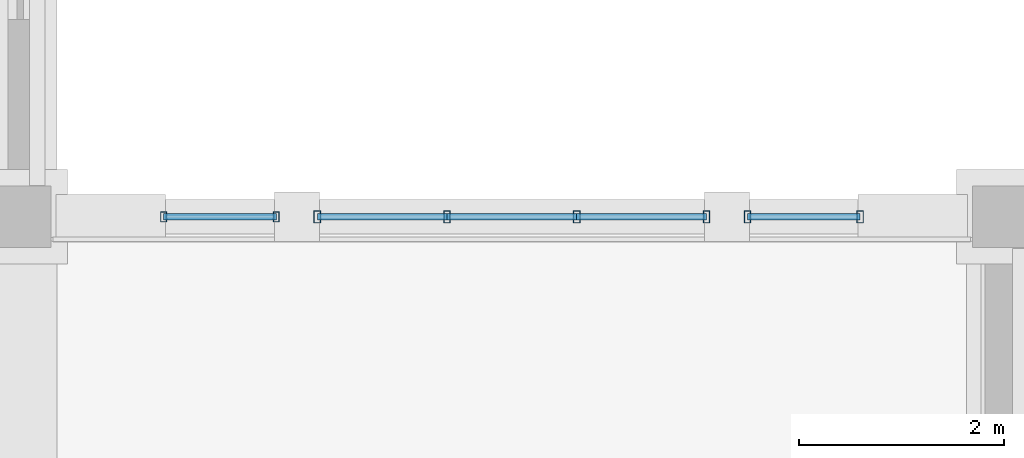
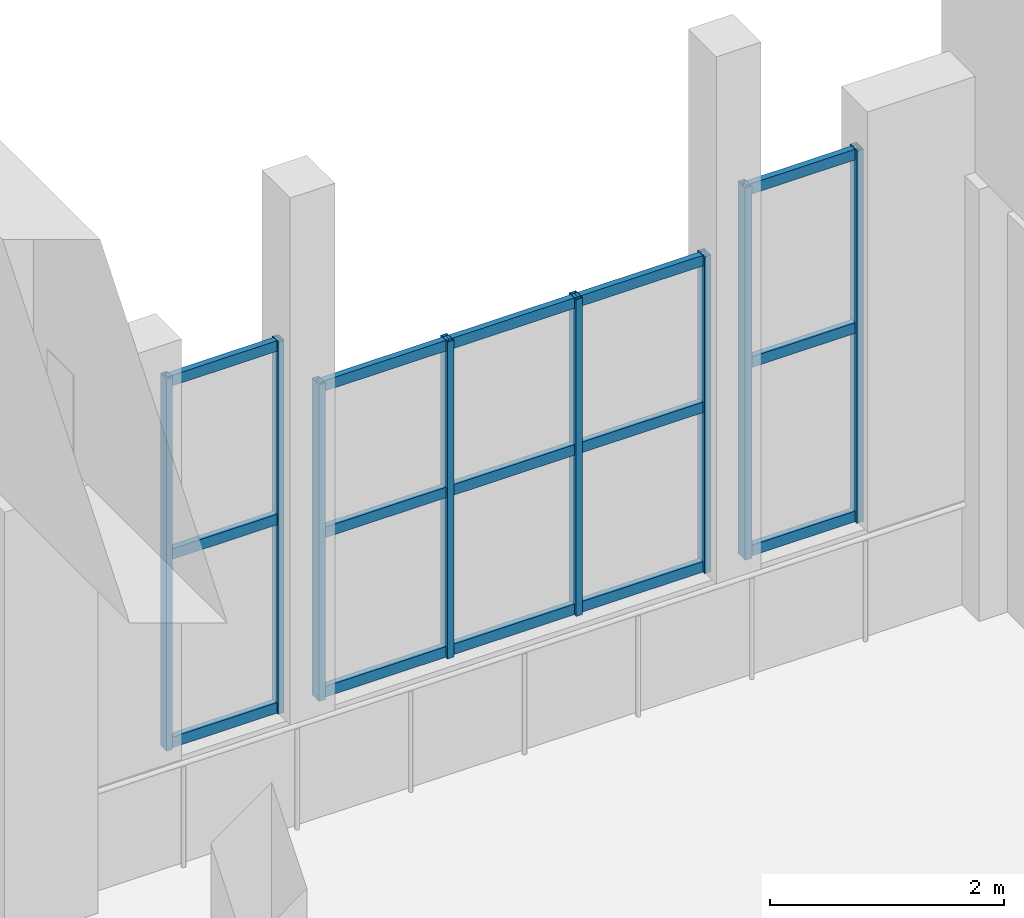
# One storey, part 13 of 46: 23 members, 3 elements without a shape of their own.
"""IFC4 building model written with IfcOpenShell, lengths in metres."""

from ifc_helpers import new_model, si_unit, direction, frame, origin, origin_2d, place, context, subcontext, project, spatial, hollow_rectangle, extrude, material, material_profile, profile_set, type_object, element, aggregate, save


model = new_model("IFC4")

# Units and contexts
model_context = context("Model", 3, precision=1e-05, world=origin(), true_north=direction((0.0, 1.0)))
body_context = subcontext(model_context, "Body", "Model", "MODEL_VIEW")
ifc_project = project(units=[si_unit("LENGTHUNIT", "METRE"), si_unit("AREAUNIT", "SQUARE_METRE"), si_unit("VOLUMEUNIT", "CUBIC_METRE"), si_unit("PLANEANGLEUNIT", "RADIAN"), si_unit("MASSUNIT", "GRAM", prefix="KILO")], contexts=[model_context])

# Site, building, storey
site_placement = place(None, origin())
site = spatial("IfcSite", under=ifc_project, at=site_placement, CompositionType="ELEMENT")
building_placement = place(site_placement, origin())
building = spatial("IfcBuilding", under=site, at=building_placement, Name="Mavantir Sound Aquarium", CompositionType="ELEMENT")
storey_placement = place(building_placement, frame((0.0, 0.0, 15.300048828125)))
storey = spatial("IfcBuildingStorey", under=building, at=storey_placement, Name="L03", CompositionType="ELEMENT", Elevation=15.300048828125)

# Curtain wall, members
ifc_material_1 = material(Name="Anodised Marine Aluminium and Low-E Glass", Category="aluminium")
curtain_wall_type_1 = type_object("IfcCurtainWallType", Name="CW-T14", PredefinedType="USERDEFINED", material=ifc_material_1)
curtain_wall_1_placement = place(storey_placement, origin())
curtain_wall_1 = element("IfcCurtainWall", 1, at=curtain_wall_1_placement, inside=storey, type_object=curtain_wall_type_1, Name="L03 unitised curtain wall CW-14 181", ObjectType="UNITISED GLAZING", PredefinedType="USERDEFINED")
ifc_material_2 = material(Name="Anodised Marine Aluminium 6063-T6", Category="aluminium")
ifc_material_profile_1 = material_profile(ifc_material_2, hollow_rectangle(XDim=0.06005859375, YDim=0.10009765625, WallThickness=0.00390625, at=origin_2d()), Name="ALU-MULLION-100X60")
ifc_profile_set_1 = profile_set([ifc_material_profile_1], Name="Anodised Marine Aluminium 6063-T6")
member_type_1 = type_object("IfcMemberType", Name="CW-MUL-100", PredefinedType="MULLION", material=ifc_profile_set_1)
member_1_placement = place(storey_placement, frame((167.0, 60.800048828125, 1.119873046875), z_axis=(0.0, 0.0, 1.0), x_axis=(1.0, 0.0, 0.0)))
member_1 = element("IfcMember", 2, at=member_1_placement, type_object=member_type_1, Name="CW-DIOC-7N-L vertical mullion 1", PredefinedType="MULLION", context=body_context, shape_type="SweptSolid", body=[
    extrude(hollow_rectangle(XDim=0.06005859375, YDim=0.10009765625, WallThickness=0.00390625, at=origin_2d()), origin(), (0.0, 0.0, 1.0), 3.880126953125),
])
member_2_placement = place(storey_placement, frame((168.10009765625, 60.800048828125, 1.119873046875), z_axis=(0.0, 0.0, 1.0), x_axis=(1.0, 0.0, 0.0)))
member_2 = element("IfcMember", 3, at=member_2_placement, type_object=member_type_1, Name="CW-DIOC-7N-L vertical mullion 2", PredefinedType="MULLION", context=body_context, shape_type="SweptSolid", body=[
    extrude(hollow_rectangle(XDim=0.06005859375, YDim=0.10009765625, WallThickness=0.00390625, at=origin_2d()), origin(), (0.0, 0.0, 1.0), 3.880126953125),
])

curtain_wall_type_2 = type_object("IfcCurtainWallType", Name="CW-T13", PredefinedType="USERDEFINED", material=ifc_material_1)
curtain_wall_2_placement = place(storey_placement, origin())
curtain_wall_2 = element("IfcCurtainWall", 4, at=curtain_wall_2_placement, inside=storey, type_object=curtain_wall_type_2, Name="L03 unitised curtain wall CW-13 180", ObjectType="UNITISED GLAZING", PredefinedType="USERDEFINED")
ifc_material_profile_2 = material_profile(ifc_material_2, hollow_rectangle(XDim=0.06494140625, YDim=0.1201171875, WallThickness=0.00390625, at=origin_2d()), Name="ALU-MULLION-120X65")
ifc_profile_set_2 = profile_set([ifc_material_profile_2], Name="Anodised Marine Aluminium 6063-T6")
member_type_2 = type_object("IfcMemberType", Name="CW-MUL-120", PredefinedType="MULLION", material=ifc_profile_set_2)
member_3_placement = place(storey_placement, frame((168.5, 60.800048828125, 1.119873046875), z_axis=(0.0, 0.0, 1.0), x_axis=(1.0, 0.0, 0.0)))
member_3 = element("IfcMember", 5, at=member_3_placement, type_object=member_type_2, Name="CW-DIOC-7N-C vertical mullion 1", PredefinedType="MULLION", context=body_context, shape_type="SweptSolid", body=[
    extrude(hollow_rectangle(XDim=0.06494140625, YDim=0.1201171875, WallThickness=0.00390625, at=origin_2d()), origin(), (0.0, 0.0, 1.0), 3.300048828125),
])
member_4_placement = place(storey_placement, frame((169.7666015625, 60.800048828125, 1.119873046875), z_axis=(0.0, 0.0, 1.0), x_axis=(1.0, 0.0, 0.0)))
member_4 = element("IfcMember", 6, at=member_4_placement, type_object=member_type_2, Name="CW-DIOC-7N-C vertical mullion 2", PredefinedType="MULLION", context=body_context, shape_type="SweptSolid", body=[
    extrude(hollow_rectangle(XDim=0.06494140625, YDim=0.1201171875, WallThickness=0.00390625, at=origin_2d()), origin(), (0.0, 0.0, 1.0), 3.300048828125),
])
member_5_placement = place(storey_placement, frame((171.033203125, 60.800048828125, 1.119873046875), z_axis=(0.0, 0.0, 1.0), x_axis=(1.0, 0.0, 0.0)))
member_5 = element("IfcMember", 7, at=member_5_placement, type_object=member_type_2, Name="CW-DIOC-7N-C vertical mullion 3", PredefinedType="MULLION", context=body_context, shape_type="SweptSolid", body=[
    extrude(hollow_rectangle(XDim=0.06494140625, YDim=0.1201171875, WallThickness=0.00390625, at=origin_2d()), origin(), (0.0, 0.0, 1.0), 3.300048828125),
])
member_6_placement = place(storey_placement, frame((172.300048828125, 60.800048828125, 1.119873046875), z_axis=(0.0, 0.0, 1.0), x_axis=(1.0, 0.0, 0.0)))
member_6 = element("IfcMember", 8, at=member_6_placement, type_object=member_type_2, Name="CW-DIOC-7N-C vertical mullion 4", PredefinedType="MULLION", context=body_context, shape_type="SweptSolid", body=[
    extrude(hollow_rectangle(XDim=0.06494140625, YDim=0.1201171875, WallThickness=0.00390625, at=origin_2d()), origin(), (0.0, 0.0, 1.0), 3.300048828125),
])

curtain_wall_type_3 = type_object("IfcCurtainWallType", Name="CW-T15", PredefinedType="USERDEFINED", material=ifc_material_1)
curtain_wall_3_placement = place(storey_placement, origin())
curtain_wall_3 = element("IfcCurtainWall", 9, at=curtain_wall_3_placement, inside=storey, type_object=curtain_wall_type_3, Name="L03 unitised curtain wall CW-15 182", ObjectType="UNITISED GLAZING", PredefinedType="USERDEFINED")
member_7_placement = place(storey_placement, frame((172.699951171875, 60.800048828125, 1.119873046875), z_axis=(0.0, 0.0, 1.0), x_axis=(1.0, 0.0, 0.0)))
member_7 = element("IfcMember", 10, at=member_7_placement, type_object=member_type_2, Name="CW-DIOC-7N-R vertical mullion 1", PredefinedType="MULLION", context=body_context, shape_type="SweptSolid", body=[
    extrude(hollow_rectangle(XDim=0.06494140625, YDim=0.1201171875, WallThickness=0.00390625, at=origin_2d()), origin(), (0.0, 0.0, 1.0), 3.880126953125),
])
member_8_placement = place(storey_placement, frame((173.800048828125, 60.800048828125, 1.119873046875), z_axis=(0.0, 0.0, 1.0), x_axis=(1.0, 0.0, 0.0)))
member_8 = element("IfcMember", 11, at=member_8_placement, type_object=member_type_2, Name="CW-DIOC-7N-R vertical mullion 2", PredefinedType="MULLION", context=body_context, shape_type="SweptSolid", body=[
    extrude(hollow_rectangle(XDim=0.06494140625, YDim=0.1201171875, WallThickness=0.00390625, at=origin_2d()), origin(), (0.0, 0.0, 1.0), 3.880126953125),
])

# Member
ifc_material_profile_3 = material_profile(ifc_material_2, hollow_rectangle(XDim=0.06005859375, YDim=0.110107421875, WallThickness=0.00390625, at=origin_2d()), Name="ALU-TRANSOM-110X60")
ifc_profile_set_3 = profile_set([ifc_material_profile_3], Name="Anodised Marine Aluminium 6063-T6")
member_type_3 = type_object("IfcMemberType", Name="CW-TRN-110", PredefinedType="USERDEFINED", material=ifc_profile_set_3)
member_9_placement = place(storey_placement, frame((168.5, 60.800048828125, 1.175048828125), z_axis=(1.0, 0.0, 0.0), x_axis=(0.0, 1.0, 0.0)))
member_9 = element("IfcMember", 12, at=member_9_placement, type_object=member_type_3, Name="CW-DIOC-7N-C transom 1.1", ObjectType="TRANSOM", PredefinedType="USERDEFINED", context=body_context, shape_type="SweptSolid", body=[
    extrude(hollow_rectangle(XDim=0.06005859375, YDim=0.110107421875, WallThickness=0.00390625, at=origin_2d()), origin(), (0.0, 0.0, 1.0), 1.2666015625),
])

member_10_placement = place(storey_placement, frame((168.5, 60.800048828125, 2.8359375), z_axis=(1.0, 0.0, 0.0), x_axis=(0.0, 1.0, 0.0)))
member_10 = element("IfcMember", 13, at=member_10_placement, type_object=member_type_3, Name="CW-DIOC-7N-C transom 1.2", ObjectType="TRANSOM", PredefinedType="USERDEFINED", context=body_context, shape_type="SweptSolid", body=[
    extrude(hollow_rectangle(XDim=0.06005859375, YDim=0.110107421875, WallThickness=0.00390625, at=origin_2d()), origin(), (0.0, 0.0, 1.0), 1.2666015625),
])

member_11_placement = place(storey_placement, frame((168.5, 60.800048828125, 4.364990234375), z_axis=(1.0, 0.0, 0.0), x_axis=(0.0, 1.0, 0.0)))
member_11 = element("IfcMember", 14, at=member_11_placement, type_object=member_type_3, Name="CW-DIOC-7N-C transom 1.3", ObjectType="TRANSOM", PredefinedType="USERDEFINED", context=body_context, shape_type="SweptSolid", body=[
    extrude(hollow_rectangle(XDim=0.06005859375, YDim=0.110107421875, WallThickness=0.00390625, at=origin_2d()), origin(), (0.0, 0.0, 1.0), 1.2666015625),
])

member_12_placement = place(storey_placement, frame((169.7666015625, 60.800048828125, 1.175048828125), z_axis=(1.0, 0.0, 0.0), x_axis=(0.0, 1.0, 0.0)))
member_12 = element("IfcMember", 15, at=member_12_placement, type_object=member_type_3, Name="CW-DIOC-7N-C transom 2.1", ObjectType="TRANSOM", PredefinedType="USERDEFINED", context=body_context, shape_type="SweptSolid", body=[
    extrude(hollow_rectangle(XDim=0.06005859375, YDim=0.110107421875, WallThickness=0.00390625, at=origin_2d()), origin(), (0.0, 0.0, 1.0), 1.2666015625),
])

member_13_placement = place(storey_placement, frame((169.7666015625, 60.800048828125, 2.8359375), z_axis=(1.0, 0.0, 0.0), x_axis=(0.0, 1.0, 0.0)))
member_13 = element("IfcMember", 16, at=member_13_placement, type_object=member_type_3, Name="CW-DIOC-7N-C transom 2.2", ObjectType="TRANSOM", PredefinedType="USERDEFINED", context=body_context, shape_type="SweptSolid", body=[
    extrude(hollow_rectangle(XDim=0.06005859375, YDim=0.110107421875, WallThickness=0.00390625, at=origin_2d()), origin(), (0.0, 0.0, 1.0), 1.2666015625),
])

member_14_placement = place(storey_placement, frame((169.7666015625, 60.800048828125, 4.364990234375), z_axis=(1.0, 0.0, 0.0), x_axis=(0.0, 1.0, 0.0)))
member_14 = element("IfcMember", 17, at=member_14_placement, type_object=member_type_3, Name="CW-DIOC-7N-C transom 2.3", ObjectType="TRANSOM", PredefinedType="USERDEFINED", context=body_context, shape_type="SweptSolid", body=[
    extrude(hollow_rectangle(XDim=0.06005859375, YDim=0.110107421875, WallThickness=0.00390625, at=origin_2d()), origin(), (0.0, 0.0, 1.0), 1.2666015625),
])

member_15_placement = place(storey_placement, frame((171.033203125, 60.800048828125, 1.175048828125), z_axis=(1.0, 0.0, 0.0), x_axis=(0.0, 1.0, 0.0)))
member_15 = element("IfcMember", 18, at=member_15_placement, type_object=member_type_3, Name="CW-DIOC-7N-C transom 3.1", ObjectType="TRANSOM", PredefinedType="USERDEFINED", context=body_context, shape_type="SweptSolid", body=[
    extrude(hollow_rectangle(XDim=0.06005859375, YDim=0.110107421875, WallThickness=0.00390625, at=origin_2d()), origin(), (0.0, 0.0, 1.0), 1.266845703125),
])

member_16_placement = place(storey_placement, frame((171.033203125, 60.800048828125, 2.8359375), z_axis=(1.0, 0.0, 0.0), x_axis=(0.0, 1.0, 0.0)))
member_16 = element("IfcMember", 19, at=member_16_placement, type_object=member_type_3, Name="CW-DIOC-7N-C transom 3.2", ObjectType="TRANSOM", PredefinedType="USERDEFINED", context=body_context, shape_type="SweptSolid", body=[
    extrude(hollow_rectangle(XDim=0.06005859375, YDim=0.110107421875, WallThickness=0.00390625, at=origin_2d()), origin(), (0.0, 0.0, 1.0), 1.266845703125),
])

member_17_placement = place(storey_placement, frame((171.033203125, 60.800048828125, 4.364990234375), z_axis=(1.0, 0.0, 0.0), x_axis=(0.0, 1.0, 0.0)))
member_17 = element("IfcMember", 20, at=member_17_placement, type_object=member_type_3, Name="CW-DIOC-7N-C transom 3.3", ObjectType="TRANSOM", PredefinedType="USERDEFINED", context=body_context, shape_type="SweptSolid", body=[
    extrude(hollow_rectangle(XDim=0.06005859375, YDim=0.110107421875, WallThickness=0.00390625, at=origin_2d()), origin(), (0.0, 0.0, 1.0), 1.266845703125),
])

aggregate(curtain_wall_2, [member_3, member_4, member_5, member_6, member_9, member_10, member_11, member_12, member_13, member_14, member_15, member_16, member_17])

member_18_placement = place(storey_placement, frame((167.0, 60.800048828125, 1.175048828125), z_axis=(1.0, 0.0, 0.0), x_axis=(0.0, 1.0, 0.0)))
member_18 = element("IfcMember", 21, at=member_18_placement, type_object=member_type_3, Name="CW-DIOC-7N-L transom 1.1", ObjectType="TRANSOM", PredefinedType="USERDEFINED", context=body_context, shape_type="SweptSolid", body=[
    extrude(hollow_rectangle(XDim=0.06005859375, YDim=0.110107421875, WallThickness=0.00390625, at=origin_2d()), origin(), (0.0, 0.0, 1.0), 1.10009765625),
])

member_19_placement = place(storey_placement, frame((167.0, 60.800048828125, 3.137451171875), z_axis=(1.0, 0.0, 0.0), x_axis=(0.0, 1.0, 0.0)))
member_19 = element("IfcMember", 22, at=member_19_placement, type_object=member_type_3, Name="CW-DIOC-7N-L transom 1.2", ObjectType="TRANSOM", PredefinedType="USERDEFINED", context=body_context, shape_type="SweptSolid", body=[
    extrude(hollow_rectangle(XDim=0.06005859375, YDim=0.110107421875, WallThickness=0.00390625, at=origin_2d()), origin(), (0.0, 0.0, 1.0), 1.10009765625),
])

member_20_placement = place(storey_placement, frame((167.0, 60.800048828125, 4.945068359375), z_axis=(1.0, 0.0, 0.0), x_axis=(0.0, 1.0, 0.0)))
member_20 = element("IfcMember", 23, at=member_20_placement, type_object=member_type_3, Name="CW-DIOC-7N-L transom 1.3", ObjectType="TRANSOM", PredefinedType="USERDEFINED", context=body_context, shape_type="SweptSolid", body=[
    extrude(hollow_rectangle(XDim=0.06005859375, YDim=0.110107421875, WallThickness=0.00390625, at=origin_2d()), origin(), (0.0, 0.0, 1.0), 1.10009765625),
])

aggregate(curtain_wall_1, [member_1, member_2, member_18, member_19, member_20])

member_21_placement = place(storey_placement, frame((172.699951171875, 60.800048828125, 1.175048828125), z_axis=(1.0, 0.0, 0.0), x_axis=(0.0, 1.0, 0.0)))
member_21 = element("IfcMember", 24, at=member_21_placement, type_object=member_type_3, Name="CW-DIOC-7N-R transom 1.1", ObjectType="TRANSOM", PredefinedType="USERDEFINED", context=body_context, shape_type="SweptSolid", body=[
    extrude(hollow_rectangle(XDim=0.06005859375, YDim=0.110107421875, WallThickness=0.00390625, at=origin_2d()), origin(), (0.0, 0.0, 1.0), 1.10009765625),
])

member_22_placement = place(storey_placement, frame((172.699951171875, 60.800048828125, 3.137451171875), z_axis=(1.0, 0.0, 0.0), x_axis=(0.0, 1.0, 0.0)))
member_22 = element("IfcMember", 25, at=member_22_placement, type_object=member_type_3, Name="CW-DIOC-7N-R transom 1.2", ObjectType="TRANSOM", PredefinedType="USERDEFINED", context=body_context, shape_type="SweptSolid", body=[
    extrude(hollow_rectangle(XDim=0.06005859375, YDim=0.110107421875, WallThickness=0.00390625, at=origin_2d()), origin(), (0.0, 0.0, 1.0), 1.10009765625),
])

member_23_placement = place(storey_placement, frame((172.699951171875, 60.800048828125, 4.945068359375), z_axis=(1.0, 0.0, 0.0), x_axis=(0.0, 1.0, 0.0)))
member_23 = element("IfcMember", 26, at=member_23_placement, type_object=member_type_3, Name="CW-DIOC-7N-R transom 1.3", ObjectType="TRANSOM", PredefinedType="USERDEFINED", context=body_context, shape_type="SweptSolid", body=[
    extrude(hollow_rectangle(XDim=0.06005859375, YDim=0.110107421875, WallThickness=0.00390625, at=origin_2d()), origin(), (0.0, 0.0, 1.0), 1.10009765625),
])

aggregate(curtain_wall_3, [member_7, member_8, member_21, member_22, member_23])

save(model, "model.ifc")
